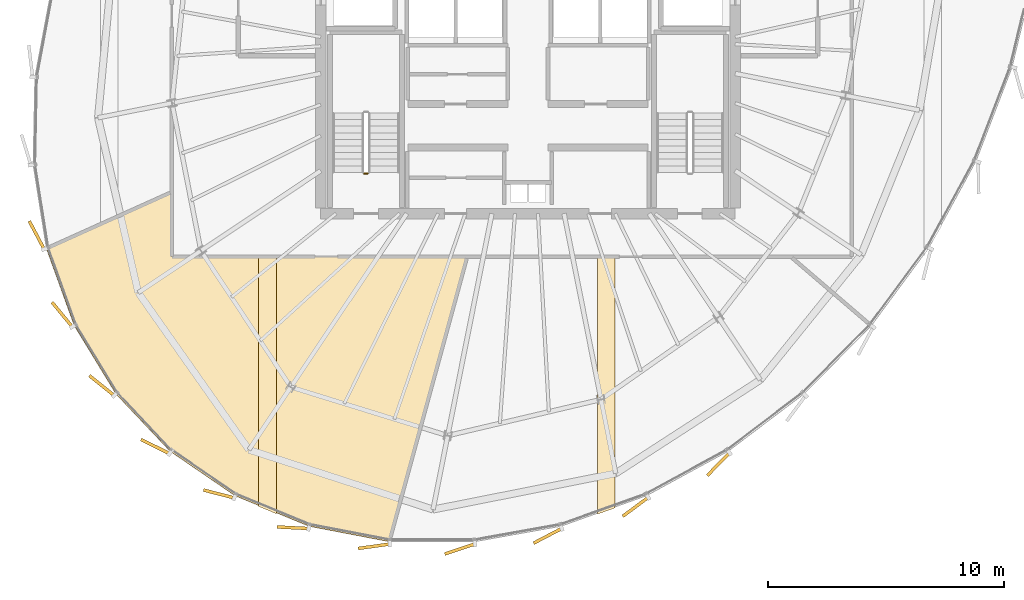
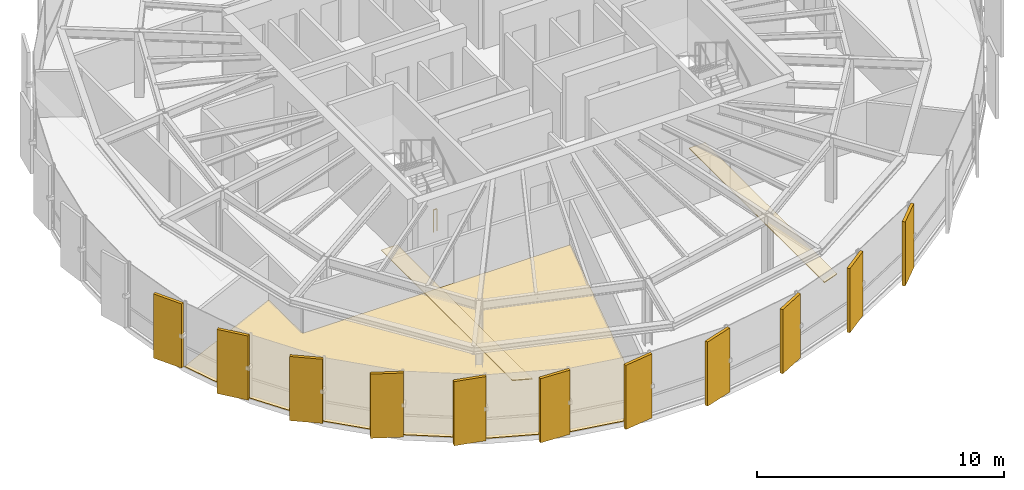
# One storey, part 30 of 33: 14 coverings, 1 railing.
"""IFC4 building model written with IfcOpenShell, lengths in metres."""

from ifc_helpers import new_model, si_unit, direction, frame, origin, origin_2d, place, context, subcontext, project, spatial, polyline, rectangle, circle, outline, extrude, source, transform, mapped, material, layer, layer_set, type_object, element, save


model = new_model("IFC4")

# Units and contexts
model_context = context("Model", 3, precision=1e-05, world=origin(), true_north=direction((0.0, 1.0)))
body_context = subcontext(model_context, "Body", "Model", "MODEL_VIEW")
ifc_project = project(units=[si_unit("LENGTHUNIT", "METRE"), si_unit("AREAUNIT", "SQUARE_METRE"), si_unit("VOLUMEUNIT", "CUBIC_METRE"), si_unit("PLANEANGLEUNIT", "RADIAN"), si_unit("MASSUNIT", "GRAM", prefix="KILO"), si_unit("THERMODYNAMICTEMPERATUREUNIT", "KELVIN")], contexts=[model_context])

# Site, building, storey
site_placement = place(None, origin())
site = spatial("IfcSite", under=ifc_project, at=site_placement, CompositionType="ELEMENT")
building_placement = place(site_placement, origin())
building = spatial("IfcBuilding", under=site, at=building_placement, Name="Kethvar Cultural Tower", CompositionType="ELEMENT")
storey_placement = place(building_placement, frame((0.0, 0.0, 235.300048828125)))
storey = spatial("IfcBuildingStorey", under=building, at=storey_placement, Name="L61", CompositionType="ELEMENT", Elevation=235.300048828125)

# Coverings
ifc_material_1 = material(Name="Acoustic Mineral Fibre Ceiling")
ifc_layer_1 = layer(ifc_material_1, 0.0400390625, Name="Acoustic Mineral Fibre Ceiling")
ifc_layer_set_1 = layer_set([ifc_layer_1], Name="Acoustic Mineral Fibre Ceiling (40 mm)")
covering_type_1 = type_object("IfcCoveringType", Name="CV-ACOUSTIC-CEIL", PredefinedType="CEILING", material=ifc_layer_set_1)
covering_1_placement = place(storey_placement, frame((0.0, 0.0, 2.780029296875)))
element("IfcCovering", 1, at=covering_1_placement, inside=storey, type_object=covering_type_1, Name="L61 Room 01 Acoustic Ceiling Panel", PredefinedType="CEILING", context=body_context, shape_type="SweptSolid", body=[
    extrude(outline(polyline([(35.365234375, 7.664794921875), (35.365234375, 18.2890625), (36.115234375, 18.2890625), (36.115234375, 7.355712890625), (35.365234375, 7.664794921875)])), origin(), (0.0, 0.0, 1.0), 0.0400390625),
])
covering_2_placement = place(storey_placement, frame((0.0, 0.0, 2.780029296875)))
element("IfcCovering", 2, at=covering_2_placement, inside=storey, type_object=covering_type_1, Name="L61 Room 02 Acoustic Ceiling Panel", PredefinedType="CEILING", context=body_context, shape_type="SweptSolid", body=[
    extrude(outline(polyline([(49.755859375, 7.337890625), (49.755859375, 18.2890625), (50.505859375, 18.2890625), (50.505859375, 7.60546875), (49.755859375, 7.337890625)])), origin(), (0.0, 0.0, 1.0), 0.0400390625),
])
ifc_material_2 = material(Name="Architectural Oak Timber", Category="wood")
ifc_layer_2 = layer(ifc_material_2, 0.02490234375, Name="Architectural Oak Timber", Category="wood")
ifc_layer_set_2 = layer_set([ifc_layer_2], Name="Architectural Oak Timber (25 mm)")
covering_type_2 = type_object("IfcCoveringType", Name="CV-OAK-FLOOR", PredefinedType="FLOORING", material=ifc_layer_set_2)
covering_3_placement = place(storey_placement, origin())
element("IfcCovering", 3, at=covering_3_placement, inside=storey, type_object=covering_type_2, Name="L61 Room 01 Floor Finish", PredefinedType="FLOORING", context=body_context, shape_type="SweptSolid", body=[
    extrude(outline(polyline([(37.50830078125, 6.82470703125), (34.36865234375, 8.118896484375), (31.6064453125, 10.0107421875), (29.305908203125, 12.44287109375), (27.53662109375, 15.341552734375), (26.35791015625, 18.60302734375), (31.659912109375, 20.98291015625), (31.676025390625, 18.24951171875), (44.189453125, 18.2490234375), (40.914306640625, 6.1708984375), (37.50830078125, 6.82470703125)])), origin(), (0.0, 0.0, 1.0), 0.02490234375),
])

# Railing
ifc_material_3 = material(Name="Steel S355J2", Category="steel")
railing_type = type_object("IfcRailingType", Name="RL-STAIR-GUARD", PredefinedType="BALUSTRADE", material=ifc_material_3)
railing_placement = place(storey_placement, frame((40.0, 21.800048828125, 0.0)))
element("IfcRailing", 4, at=railing_placement, inside=storey, type_object=railing_type, Name="L61 ST-01 stair guard 4", PredefinedType="BALUSTRADE", context=body_context, shape_type="SweptSolid", body=[
    extrude(circle(Radius=0.02392578125, at=origin_2d()), frame((0.0, 0.0, 1.09619140625), z_axis=(-1.0, 0.0, 0.0), x_axis=(0.0, -1.0, 0.0)), (0.0, 0.0, 1.0), 0.159912109375),
    extrude(circle(Radius=0.02099609375, at=origin_2d()), origin(), (0.0, 0.0, 1.0), 1.072021484375),
    extrude(circle(Radius=0.02099609375, at=origin_2d()), frame((-0.159912109375, 0.0, 0.0)), (0.0, 0.0, 1.0), 1.072021484375),
])

# Coverings
ifc_material_4 = material(Name="Extruded Architectural Terracotta", Category="masonry")
ifc_layer_3 = layer(ifc_material_4, 0.135009765625, Name="Extruded Architectural Terracotta", Category="masonry")
ifc_layer_set_3 = layer_set([ifc_layer_3], Name="Extruded Architectural Terracotta (135 mm)")
covering_type_3 = type_object("IfcCoveringType", Name="Terracotta Facade Fin FIN-03", PredefinedType="CLADDING", material=ifc_layer_set_3)
shared_shape = source(origin(), body_context, "Body", "SweptSolid", [
    extrude(rectangle(XDim=1.35009765625, YDim=0.135009765625, at=origin_2d()), origin(), (0.0, 0.0, 1.0), 3.169921875),
])
for number, where, z_axis, x_axis, name in (
    (5, (25.94189453125, 19.18310546875, 0.02001953125), (0.0, 0.0, 1.0), (-0.467467011537, 0.884010516411, 0.0), "L61 Vertical Terracotta Fin 3.4"),
    (6, (27.021728515625, 15.812744140625, 0.02001953125), (0.0, 0.0, 1.0), (-0.634730513202, 0.772733573497, 0.0), "L61 Vertical Terracotta Fin 3.5"),
    (7, (28.7041015625, 12.796630859375, 0.02001953125), (0.0, 0.0, 1.0), (-0.781629348046, 0.623743186154, 0.0), "L61 Vertical Terracotta Fin 3.6"),
    (8, (30.97314453125, 10.20947265625, 0.02001953125), (0.0, 0.0, 1.0), (-0.895634143119, 0.444791503606, 0.0), "L61 Vertical Terracotta Fin 4.1"),
    (9, (33.6748046875, 8.195068359375, 0.02001953125), (0.0, 0.0, 1.0), (-0.968583161129, 0.248689887165, 0.0), "L61 Vertical Terracotta Fin 4.2"),
    (10, (36.813232421875, 6.7607421875, 0.02001953125), (0.0, 0.0, 1.0), (-0.998745710682, 0.050070004933, 0.0), "L61 Vertical Terracotta Fin 4.3"),
    (11, (40.26025390625, 5.973876953125, 0.02001953125), (0.0, 0.0, 1.0), (-0.990268068742, -0.13917310096, 0.0), "L61 Vertical Terracotta Fin 4.4"),
    (12, (43.906005859375, 5.858642578125, 0.02001953125), (0.0, 0.0, 1.0), (-0.950189870912, -0.311671636848, 0.0), "L61 Vertical Terracotta Fin 4.5"),
    (13, (47.63525390625, 6.41748046875, 0.02001953125), (0.0, 0.0, 1.0), (-0.885879921646, -0.463914608979, 0.0), "L61 Vertical Terracotta Fin 4.6"),
    (14, (51.36474609375, 7.646484375, 0.02001953125), (0.0, 0.0, 1.0), (-0.803025548019, -0.595944602483, 0.0), "L61 Vertical Terracotta Fin 5.1"),
    (15, (54.886474609375, 9.4541015625, 0.02001953125), (0.0, 0.0, 1.0), (-0.705747931304, -0.708463024765, 0.0), "L61 Vertical Terracotta Fin 5.2"),
):
    element("IfcCovering", number, at=place(storey_placement, frame(where, z_axis=z_axis, x_axis=x_axis)), inside=storey, type_object=covering_type_3, Name=name, PredefinedType="CLADDING", context=body_context, shape_type="MappedRepresentation", body=[
        mapped(shared_shape, transform((0.0, 0.0, 0.0), scale=1.0)),
    ])

save(model, "model.ifc")
